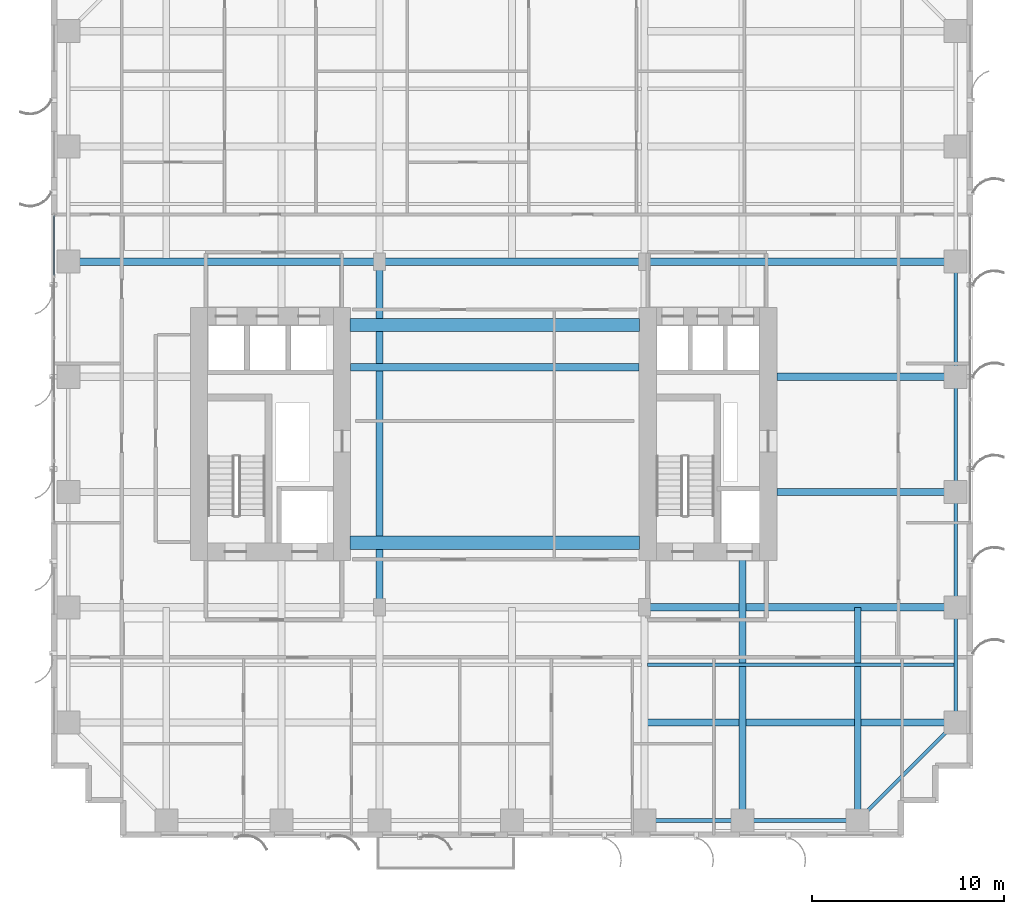
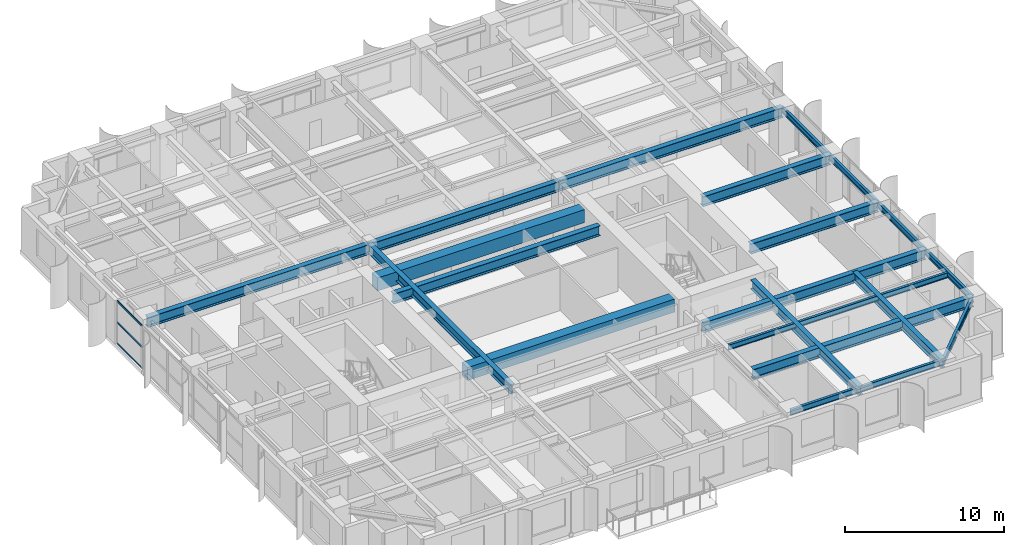
# One storey, part 3 of 18: 21 beams, 3 members, 1 element without a shape of its own.
"""IFC4 building model written with IfcOpenShell, lengths in metres."""

from ifc_helpers import new_model, si_unit, direction, frame, origin, origin_2d, place, context, subcontext, project, spatial, rectangle, hollow_rectangle, i_section, extrude, source, transform, mapped, material, layer, layer_set, material_profile, profile_set, type_object, element, aggregate, save


model = new_model("IFC4")

# Units and contexts
model_context = context("Model", 3, precision=1e-05, world=origin(), true_north=direction((0.0, 1.0)))
body_context = subcontext(model_context, "Body", "Model", "MODEL_VIEW")
ifc_project = project(units=[si_unit("LENGTHUNIT", "METRE"), si_unit("AREAUNIT", "SQUARE_METRE"), si_unit("VOLUMEUNIT", "CUBIC_METRE"), si_unit("PLANEANGLEUNIT", "RADIAN"), si_unit("MASSUNIT", "GRAM", prefix="KILO")], contexts=[model_context])

# Site, building, storey
site_placement = place(None, origin())
site = spatial("IfcSite", under=ifc_project, at=site_placement, CompositionType="ELEMENT")
building_placement = place(site_placement, origin())
building = spatial("IfcBuilding", under=site, at=building_placement, Name="Khoralis Quay Care Tower", CompositionType="ELEMENT")
storey_placement = place(building_placement, frame((0.0, 0.0, 47.699951171875)))
storey = spatial("IfcBuildingStorey", under=building, at=storey_placement, Name="L12", CompositionType="ELEMENT", Elevation=47.699951171875)

# Beams
ifc_material_1 = material(Name="Concrete C80/95", Category="concrete")
ifc_material_profile_1 = material_profile(ifc_material_1, rectangle(XDim=0.699951171875, YDim=1.0, at=origin_2d()), Name="Concrete C80/95")
ifc_profile_set_1 = profile_set([ifc_material_profile_1], Name="Concrete C80/95")
beam_type_1 = type_object("IfcBeamType", Name="CB-RC700X1000", PredefinedType="LINTEL", material=ifc_profile_set_1)
shared_shape_1 = source(origin(), body_context, "Body", "SweptSolid", [
    extrude(rectangle(XDim=0.699951171875, YDim=1.0, at=origin_2d()), origin(), (0.0, 0.0, 1.0), 15.079833984375),
])
for number, where, z_axis, x_axis, name in (
    (1, (15.570068359375, 15.35009765625, 2.820068359375), (1.0, 0.0, 0.0), (0.0, 1.0, 0.0), "L12 South Core Coupling Lintel"),
    (2, (15.570068359375, 26.699951171875, 2.820068359375), (1.0, 0.0, 0.0), (0.0, 1.0, 0.0), "L12 North Core Coupling Lintel"),
):
    element("IfcBeam", number, at=place(storey_placement, frame(where, z_axis=z_axis, x_axis=x_axis)), inside=storey, type_object=beam_type_1, Name=name, PredefinedType="LINTEL", context=body_context, shape_type="MappedRepresentation", body=[
        mapped(shared_shape_1, transform((0.0, 0.0, 0.0), scale=1.0)),
    ])
ifc_material_2 = material(Name="Steel S355", Category="steel")
ifc_material_profile_2 = material_profile(ifc_material_2, i_section(OverallWidth=0.18994140625, OverallDepth=0.449951171875, WebThickness=0.009521484375, FlangeThickness=0.0146484375, FilletRadius=0.02099609375, at=origin_2d()), Name="Steel S355")
ifc_profile_set_2 = profile_set([ifc_material_profile_2], Name="Steel S355")
beam_type_2 = type_object("IfcBeamType", Name="BM-IPE450", PredefinedType="SPANDREL", material=ifc_profile_set_2)
shared_shape_2 = source(origin(), body_context, "Body", "SweptSolid", [
    extrude(i_section(OverallWidth=0.18994140625, OverallDepth=0.449951171875, WebThickness=0.009521484375, FlangeThickness=0.0146484375, FilletRadius=0.02099609375, at=origin_2d()), origin(), (0.0, 0.0, 1.0), 6.0),
])
for number, where, z_axis, x_axis, name in (
    (3, (36.0, 0.89990234375, 3.094970703125), (1.0, 0.0, 0.0), (0.0, 1.0, 0.0), "BM-TSP-L12-06"),
    (4, (47.10009765625, 6.0, 3.094970703125), (0.0, 1.0, 0.0), (-1.0, 0.0, 0.0), "BM-TSP-L12-19"),
    (5, (47.10009765625, 12.0, 3.094970703125), (0.0, 1.0, 0.0), (-1.0, 0.0, 0.0), "BM-TSP-L12-20"),
    (6, (47.10009765625, 18.0, 3.094970703125), (0.0, 1.0, 0.0), (-1.0, 0.0, 0.0), "BM-TSP-L12-21"),
    (7, (47.10009765625, 24.0, 3.094970703125), (0.0, 1.0, 0.0), (-1.0, 0.0, 0.0), "BM-TSP-L12-22"),
):
    element("IfcBeam", number, at=place(storey_placement, frame(where, z_axis=z_axis, x_axis=x_axis)), inside=storey, type_object=beam_type_2, Name=name, PredefinedType="SPANDREL", context=body_context, shape_type="MappedRepresentation", body=[
        mapped(shared_shape_2, transform((0.0, 0.0, 0.0), scale=1.0)),
    ])
shared_shape_3 = source(origin(), body_context, "Body", "SweptSolid", [
    extrude(i_section(OverallWidth=0.18994140625, OverallDepth=0.449951171875, WebThickness=0.009521484375, FlangeThickness=0.0146484375, FilletRadius=0.02099609375, at=origin_2d()), origin(), (0.0, 0.0, 1.0), 5.10009765625),
])
beam_1_placement = place(storey_placement, frame((30.89990234375, 0.89990234375, 3.094970703125), z_axis=(1.0, 0.0, 0.0), x_axis=(0.0, 1.0, 0.0)))
element("IfcBeam", 8, at=beam_1_placement, inside=storey, type_object=beam_type_2, Name="BM-TSP-L12-05", PredefinedType="SPANDREL", context=body_context, shape_type="MappedRepresentation", body=[
    mapped(shared_shape_3, transform((0.0, 0.0, 0.0), scale=1.0)),
])
shared_shape_4 = source(origin(), body_context, "Body", "SweptSolid", [
    extrude(i_section(OverallWidth=0.18994140625, OverallDepth=0.449951171875, WebThickness=0.009521484375, FlangeThickness=0.0146484375, FilletRadius=0.02099609375, at=origin_2d()), origin(), (0.0, 0.0, 1.0), 7.212646484375),
])
beam_2_placement = place(storey_placement, frame((42.0, 0.89990234375, 3.094970703125), z_axis=(0.707106781187, 0.707106781187, 0.0), x_axis=(-0.707106781187, 0.707106781187, 0.0)))
element("IfcBeam", 9, at=beam_2_placement, inside=storey, type_object=beam_type_2, Name="BM-TCR-L12-26", PredefinedType="SPANDREL", context=body_context, shape_type="MappedRepresentation", body=[
    mapped(shared_shape_4, transform((0.0, 0.0, 0.0), scale=1.0)),
])
ifc_material_profile_3 = material_profile(ifc_material_2, i_section(OverallWidth=0.381103515625, OverallDepth=0.77294921875, WebThickness=0.0166015625, FlangeThickness=0.027587890625, FilletRadius=0.02197265625, at=origin_2d()), Name="Steel S355")
ifc_profile_set_3 = profile_set([ifc_material_profile_3], Name="Steel S355")
beam_type_3 = type_object("IfcBeamType", Name="BM-W760X257", PredefinedType="BEAM", material=ifc_profile_set_3)
shared_shape_5 = source(origin(), body_context, "Body", "SweptSolid", [
    extrude(i_section(OverallWidth=0.381103515625, OverallDepth=0.77294921875, WebThickness=0.0166015625, FlangeThickness=0.027587890625, FilletRadius=0.02197265625, at=origin_2d()), origin(), (0.0, 0.0, 1.0), 16.03466796875),
])
beam_3_placement = place(storey_placement, frame((31.0654296875, 6.0, 2.93359375), z_axis=(1.0, 0.0, 0.0), x_axis=(0.0, 1.0, 0.0)))
element("IfcBeam", 10, at=beam_3_placement, inside=storey, type_object=beam_type_3, Name="BM-TGXE-L12-60", PredefinedType="BEAM", context=body_context, shape_type="MappedRepresentation", body=[
    mapped(shared_shape_5, transform((0.0, 0.0, 0.0), scale=1.0)),
])
shared_shape_6 = source(origin(), body_context, "Body", "SweptSolid", [
    extrude(i_section(OverallWidth=0.381103515625, OverallDepth=0.77294921875, WebThickness=0.0166015625, FlangeThickness=0.027587890625, FilletRadius=0.02197265625, at=origin_2d()), origin(), (0.0, 0.0, 1.0), 16.2001953125),
])
for number, where, z_axis, x_axis, name in (
    (11, (0.89990234375, 30.0, 2.93359375), (1.0, 0.0, 0.0), (0.0, 1.0, 0.0), "BM-TGXW-L12-300"),
    (12, (30.89990234375, 12.0, 2.93359375), (1.0, 0.0, 0.0), (0.0, 1.0, 0.0), "BM-TGXE-L12-120"),
    (13, (30.89990234375, 30.0, 2.93359375), (1.0, 0.0, 0.0), (0.0, 1.0, 0.0), "BM-TGXE-L12-300"),
):
    element("IfcBeam", number, at=place(storey_placement, frame(where, z_axis=z_axis, x_axis=x_axis)), inside=storey, type_object=beam_type_3, Name=name, PredefinedType="BEAM", context=body_context, shape_type="MappedRepresentation", body=[
        mapped(shared_shape_6, transform((0.0, 0.0, 0.0), scale=1.0)),
    ])
shared_shape_7 = source(origin(), body_context, "Body", "SweptSolid", [
    extrude(i_section(OverallWidth=0.381103515625, OverallDepth=0.77294921875, WebThickness=0.0166015625, FlangeThickness=0.027587890625, FilletRadius=0.02197265625, at=origin_2d()), origin(), (0.0, 0.0, 1.0), 9.302001953125),
])
for number, where, z_axis, x_axis, name in (
    (14, (37.798095703125, 18.0, 2.93359375), (1.0, 0.0, 0.0), (0.0, 1.0, 0.0), "BM-TGXE-L12-180"),
    (15, (37.798095703125, 24.0, 2.93359375), (1.0, 0.0, 0.0), (0.0, 1.0, 0.0), "BM-TGXE-L12-240"),
):
    element("IfcBeam", number, at=place(storey_placement, frame(where, z_axis=z_axis, x_axis=x_axis)), inside=storey, type_object=beam_type_3, Name=name, PredefinedType="BEAM", context=body_context, shape_type="MappedRepresentation", body=[
        mapped(shared_shape_7, transform((0.0, 0.0, 0.0), scale=1.0)),
    ])
shared_shape_8 = source(origin(), body_context, "Body", "SweptSolid", [
    extrude(i_section(OverallWidth=0.381103515625, OverallDepth=0.77294921875, WebThickness=0.0166015625, FlangeThickness=0.027587890625, FilletRadius=0.02197265625, at=origin_2d()), origin(), (0.0, 0.0, 1.0), 13.7998046875),
])
beam_4_placement = place(storey_placement, frame((17.10009765625, 30.0, 2.93359375), z_axis=(1.0, 0.0, 0.0), x_axis=(0.0, 1.0, 0.0)))
element("IfcBeam", 16, at=beam_4_placement, inside=storey, type_object=beam_type_3, Name="BM-TGCC-L12-300", PredefinedType="BEAM", context=body_context, shape_type="MappedRepresentation", body=[
    mapped(shared_shape_8, transform((0.0, 0.0, 0.0), scale=1.0)),
])
shared_shape_9 = source(origin(), body_context, "Body", "SweptSolid", [
    extrude(i_section(OverallWidth=0.381103515625, OverallDepth=0.77294921875, WebThickness=0.0166015625, FlangeThickness=0.027587890625, FilletRadius=0.02197265625, at=origin_2d()), origin(), (0.0, 0.0, 1.0), 15.024169921875),
])
beam_5_placement = place(storey_placement, frame((15.597900390625, 24.5, 2.93359375), z_axis=(1.0, 0.0, 0.0), x_axis=(0.0, 1.0, 0.0)))
element("IfcBeam", 17, at=beam_5_placement, inside=storey, type_object=beam_type_3, Name="BM-TGCC-L12-245", PredefinedType="BEAM", context=body_context, shape_type="MappedRepresentation", body=[
    mapped(shared_shape_9, transform((0.0, 0.0, 0.0), scale=1.0)),
])
ifc_material_profile_4 = material_profile(ifc_material_2, i_section(OverallWidth=0.35498046875, OverallDepth=0.695068359375, WebThickness=0.015380859375, FlangeThickness=0.02490234375, FilletRadius=0.02001953125, at=origin_2d()), Name="Steel S355")
ifc_profile_set_4 = profile_set([ifc_material_profile_4], Name="Steel S355")
beam_type_4 = type_object("IfcBeamType", Name="BM-W690X217", PredefinedType="BEAM", material=ifc_profile_set_4)
shared_shape_10 = source(origin(), body_context, "Body", "SweptSolid", [
    extrude(i_section(OverallWidth=0.35498046875, OverallDepth=0.695068359375, WebThickness=0.015380859375, FlangeThickness=0.02490234375, FilletRadius=0.02001953125, at=origin_2d()), origin(), (0.0, 0.0, 1.0), 11.10009765625),
])
beam_6_placement = place(storey_placement, frame((42.0, 0.89990234375, 2.97265625), z_axis=(0.0, 1.0, 0.0), x_axis=(-1.0, 0.0, 0.0)))
element("IfcBeam", 18, at=beam_6_placement, inside=storey, type_object=beam_type_4, Name="BM-TGYS-L12-420", PredefinedType="BEAM", context=body_context, shape_type="MappedRepresentation", body=[
    mapped(shared_shape_10, transform((0.0, 0.0, 0.0), scale=1.0)),
])
shared_shape_11 = source(origin(), body_context, "Body", "SweptSolid", [
    extrude(i_section(OverallWidth=0.35498046875, OverallDepth=0.695068359375, WebThickness=0.015380859375, FlangeThickness=0.02490234375, FilletRadius=0.02001953125, at=origin_2d()), origin(), (0.0, 0.0, 1.0), 13.552001953125),
])
beam_7_placement = place(storey_placement, frame((36.0, 0.89990234375, 2.97265625), z_axis=(0.0, 1.0, 0.0), x_axis=(-1.0, 0.0, 0.0)))
element("IfcBeam", 19, at=beam_7_placement, inside=storey, type_object=beam_type_4, Name="BM-TGYS-L12-360", PredefinedType="BEAM", context=body_context, shape_type="MappedRepresentation", body=[
    mapped(shared_shape_11, transform((0.0, 0.0, 0.0), scale=1.0)),
])
shared_shape_12 = source(origin(), body_context, "Body", "SweptSolid", [
    extrude(i_section(OverallWidth=0.35498046875, OverallDepth=0.695068359375, WebThickness=0.015380859375, FlangeThickness=0.02490234375, FilletRadius=0.02001953125, at=origin_2d()), origin(), (0.0, 0.0, 1.0), 18.0),
])
beam_8_placement = place(storey_placement, frame((17.10009765625, 12.0, 2.97265625), z_axis=(0.0, 1.0, 0.0), x_axis=(-1.0, 0.0, 0.0)))
element("IfcBeam", 20, at=beam_8_placement, inside=storey, type_object=beam_type_4, Name="BM-TGSW-L12", PredefinedType="BEAM", context=body_context, shape_type="MappedRepresentation", body=[
    mapped(shared_shape_12, transform((0.0, 0.0, 0.0), scale=1.0)),
])
ifc_material_profile_5 = material_profile(ifc_material_2, i_section(OverallWidth=0.177978515625, OverallDepth=0.406982421875, WebThickness=0.0078125, FlangeThickness=0.0126953125, FilletRadius=0.012939453125, at=origin_2d()), Name="Steel S355")
ifc_profile_set_5 = profile_set([ifc_material_profile_5], Name="Steel S355")
beam_type_5 = type_object("IfcBeamType", Name="BM-W410X60", PredefinedType="JOIST", material=ifc_profile_set_5)
shared_shape_13 = source(origin(), body_context, "Body", "SweptSolid", [
    extrude(i_section(OverallWidth=0.177978515625, OverallDepth=0.406982421875, WebThickness=0.0078125, FlangeThickness=0.0126953125, FilletRadius=0.012939453125, at=origin_2d()), origin(), (0.0, 0.0, 1.0), 15.95361328125),
])
beam_9_placement = place(storey_placement, frame((31.0654296875, 9.0, 3.116455078125), z_axis=(1.0, 0.0, 0.0), x_axis=(0.0, 1.0, 0.0)))
element("IfcBeam", 21, at=beam_9_placement, inside=storey, type_object=beam_type_5, Name="BM-TJS-L12-30", PredefinedType="JOIST", context=body_context, shape_type="MappedRepresentation", body=[
    mapped(shared_shape_13, transform((0.0, 0.0, 0.0), scale=1.0)),
])

# Curtain wall, members
ifc_material_3 = material(Name="Pale anodised aluminium", Category="aluminium")
ifc_layer = layer(ifc_material_3, 0.179931640625)
ifc_layer_set = layer_set([ifc_layer], Name="Pale anodised aluminium")
curtain_wall_type = type_object("IfcCurtainWallType", Name="CW-SYS-Z1", PredefinedType="NOTDEFINED", material=ifc_layer_set)
curtain_wall_placement = place(storey_placement, origin())
curtain_wall = element("IfcCurtainWall", 22, at=curtain_wall_placement, inside=storey, type_object=curtain_wall_type, Name="L12 Unitised Curtain Wall CW-L12-P1-E15", PredefinedType="NOTDEFINED")
ifc_material_profile_6 = material_profile(ifc_material_3, hollow_rectangle(XDim=0.06005859375, YDim=0.139892578125, WallThickness=0.00390625, at=origin_2d()), Name="Pale anodised aluminium")
ifc_profile_set_6 = profile_set([ifc_material_profile_6], Name="Pale anodised aluminium")
member_type = type_object("IfcMemberType", Name="CW-TRN-140", PredefinedType="USERDEFINED", material=ifc_profile_set_6)
shared_shape_14 = source(origin(), body_context, "Body", "SweptSolid", [
    extrude(hollow_rectangle(XDim=0.06005859375, YDim=0.139892578125, WallThickness=0.00390625, at=origin_2d()), origin(), (0.0, 0.0, 1.0), 3.121826171875),
])
member_1_placement = place(storey_placement, frame((0.14990234375, 32.39990234375, 0.030029296875), z_axis=(0.0, -1.0, 0.0), x_axis=(1.0, 0.0, 0.0)))
member_1 = element("IfcMember", 23, at=member_1_placement, type_object=member_type, Name="CW1 transom 1.1", ObjectType="TRANSOM", PredefinedType="USERDEFINED", context=body_context, shape_type="MappedRepresentation", body=[
    mapped(shared_shape_14, transform((0.0, 0.0, 0.0), scale=1.0)),
])
member_2_placement = place(storey_placement, frame((0.14990234375, 32.39990234375, 1.66015625), z_axis=(0.0, -1.0, 0.0), x_axis=(1.0, 0.0, 0.0)))
member_2 = element("IfcMember", 24, at=member_2_placement, type_object=member_type, Name="CW1 transom 1.2", ObjectType="TRANSOM", PredefinedType="USERDEFINED", context=body_context, shape_type="MappedRepresentation", body=[
    mapped(shared_shape_14, transform((0.0, 0.0, 0.0), scale=1.0)),
])
member_3_placement = place(storey_placement, frame((0.14990234375, 32.39990234375, 3.2900390625), z_axis=(0.0, -1.0, 0.0), x_axis=(1.0, 0.0, 0.0)))
member_3 = element("IfcMember", 25, at=member_3_placement, type_object=member_type, Name="CW1 transom 1.3", ObjectType="TRANSOM", PredefinedType="USERDEFINED", context=body_context, shape_type="MappedRepresentation", body=[
    mapped(shared_shape_14, transform((0.0, 0.0, 0.0), scale=1.0)),
])
aggregate(curtain_wall, [member_1, member_2, member_3])

save(model, "model.ifc")
